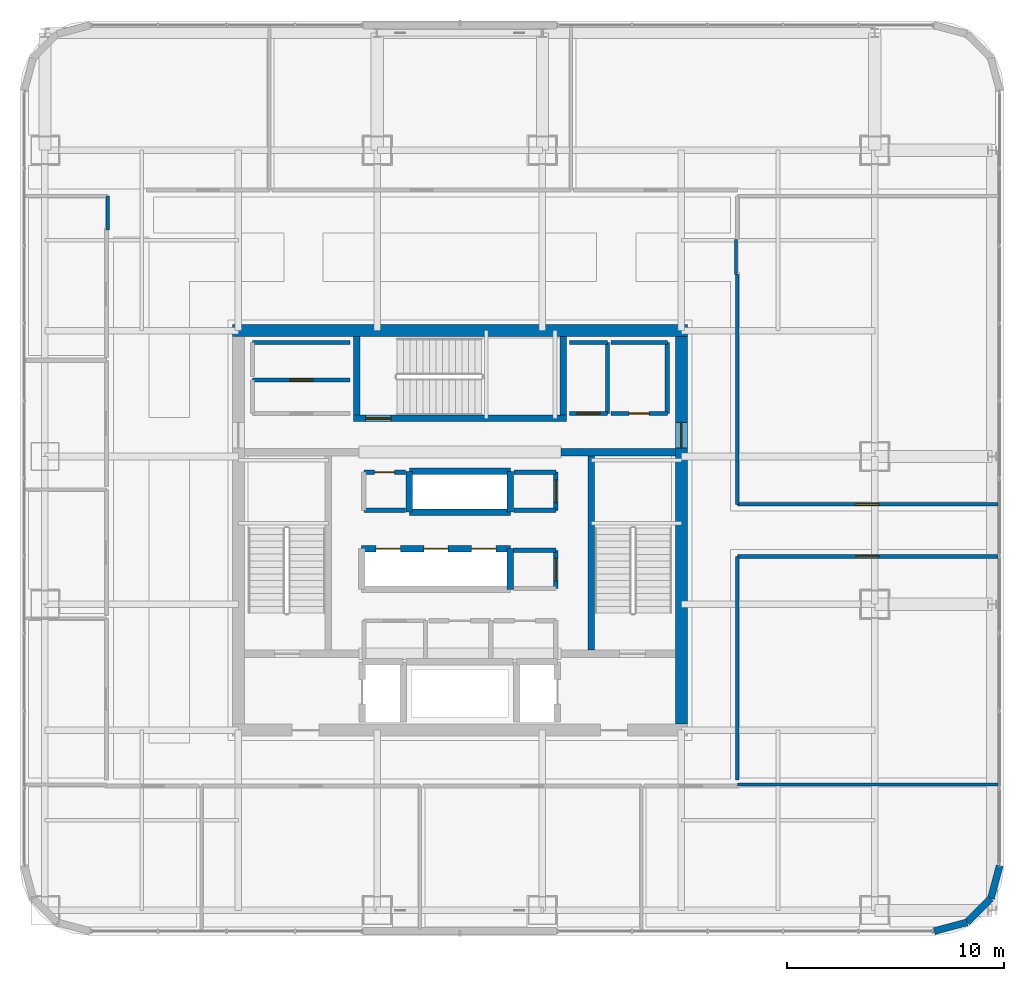
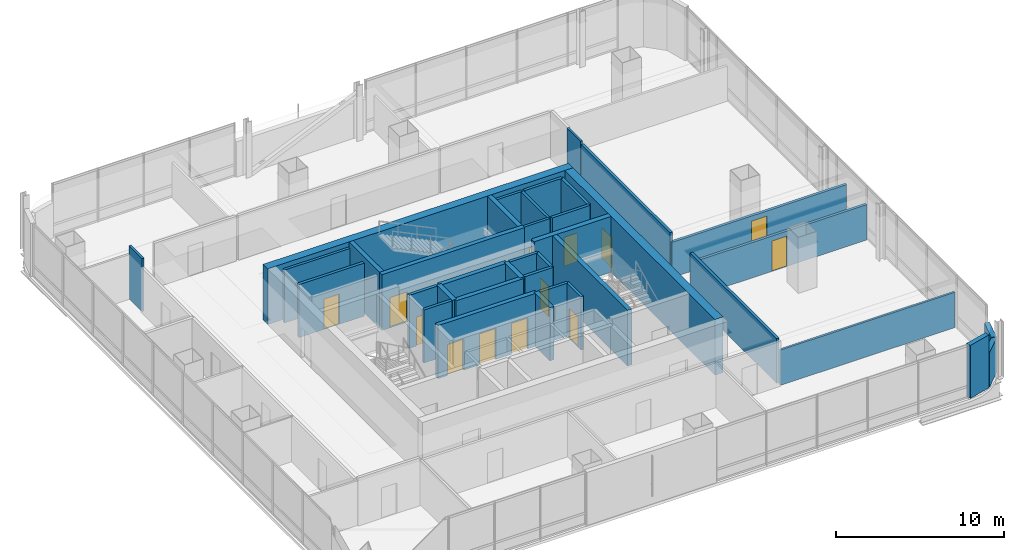
# One storey, part 33 of 44: 38 walls, 13 doors, 13 openings.
"""IFC4 building model written with IfcOpenShell, lengths in metres."""

import ifcopenshell
import ifcopenshell.guid

model = None  # the IFC model being written
_history = None  # IfcOwnerHistory: only IFC2X3 demands one
_inside = {}  # id of a spatial element -> (the spatial element, [elements in it])
_under = {}  # id of a project, library or spatial element -> (it, [spatial elements below it])
_declared = {}  # id of a project -> (the project, [libraries it declares])
_typed = {}  # id of a type object -> (the type object, [elements of that type])
_made_of = {}  # id of a material, layer set ... -> (it, [elements and type objects made of it])


def new_model(schema):
    """Start an empty IFC model of exactly this schema.

    Asked for "IFC4X3", IfcOpenShell would pick the latest addendum, in which some entities
    have other attributes; the version numbers below select the first issue.
    IFC2X3 requires an IfcOwnerHistory on every rooted entity: one is made here for all.
    """
    global model, _history
    if schema == "IFC4X3":
        model = ifcopenshell.file(schema_version=(4, 3, 0, 0))
    else:
        model = ifcopenshell.file(schema=schema)
    _inside.clear()
    _under.clear()
    _declared.clear()
    _typed.clear()
    _made_of.clear()
    _history = None
    if model.schema == "IFC2X3":
        org = make("IfcOrganization", Name="unknown")
        user = make(
            "IfcPersonAndOrganization",
            ThePerson=make("IfcPerson", FamilyName="unknown"),
            TheOrganization=org,
        )
        app = make(
            "IfcApplication",
            ApplicationDeveloper=org,
            Version="unknown",
            ApplicationFullName="unknown",
            ApplicationIdentifier="unknown",
        )
        _history = make(
            "IfcOwnerHistory",
            OwningUser=user,
            OwningApplication=app,
            ChangeAction="ADDED",
            CreationDate=0,
        )
    return model


def make(cls, **values):
    """One entity of the class cls with the attributes given. An attribute that is None is left unset."""
    return model.create_entity(
        cls, **{name: value for name, value in values.items() if value is not None}
    )


def rooted(cls, **values):
    """An entity with a GlobalId (a new one), such as an element, a storey or a relation."""
    return make(cls, GlobalId=ifcopenshell.guid.new(), OwnerHistory=_history, **values)


def si_unit(unit_type, name, prefix=None):
    """IfcSIUnit, for example si_unit("LENGTHUNIT", "METRE", prefix="MILLI")."""
    return make("IfcSIUnit", UnitType=unit_type, Prefix=prefix, Name=name)


def assignment(units):
    """IfcUnitAssignment: the units of a project."""
    return None if units is None else make("IfcUnitAssignment", Units=units)


def point(xyz):
    """IfcCartesianPoint."""
    return None if xyz is None else make("IfcCartesianPoint", Coordinates=xyz)


def direction(xyz):
    """IfcDirection."""
    return None if xyz is None else make("IfcDirection", DirectionRatios=xyz)


def frame(location, z_axis=None, x_axis=None):
    """IfcAxis2Placement3D, a coordinate frame: its origin and axes. An axis left out is left unset."""
    return make(
        "IfcAxis2Placement3D",
        Location=point(location),
        Axis=direction(z_axis),
        RefDirection=direction(x_axis),
    )


def frame_2d(location, x_axis=None):
    """IfcAxis2Placement2D, a coordinate frame in the plane: its origin and x axis."""
    return make(
        "IfcAxis2Placement2D", Location=point(location), RefDirection=direction(x_axis)
    )


def origin():
    """The frame at (0, 0, 0) with its axes left unset."""
    return frame((0.0, 0.0, 0.0))


def place(relative_to, where):
    """IfcLocalPlacement: puts the frame where relative to a parent placement (None: the world)."""
    return make(
        "IfcLocalPlacement", PlacementRelTo=relative_to, RelativePlacement=where
    )


def context(
    kind, dimensions, precision=None, world=None, true_north=None, identifier=None
):
    """IfcGeometricRepresentationContext, for example the 3D "Model" context."""
    return make(
        "IfcGeometricRepresentationContext",
        ContextIdentifier=identifier,
        ContextType=kind,
        CoordinateSpaceDimension=dimensions,
        Precision=precision,
        WorldCoordinateSystem=world,
        TrueNorth=true_north,
    )


def subcontext(parent, identifier, kind, view, scale=None):
    """IfcGeometricRepresentationSubContext, for example "Body" below "Model"."""
    return make(
        "IfcGeometricRepresentationSubContext",
        ContextIdentifier=identifier,
        ContextType=kind,
        ParentContext=parent,
        TargetScale=scale,
        TargetView=view,
    )


def project(units=None, contexts=None):
    """IfcProject with its units and contexts."""
    return rooted(
        "IfcProject",
        Name="project",
        RepresentationContexts=contexts,
        UnitsInContext=assignment(units),
    )


def spatial(cls, under=None, at=None, **own):
    """A site, building, storey or space (cls), placed at a placement, below another one or the project."""
    s = rooted(cls, ObjectPlacement=at, **own)
    if under is not None:
        _under.setdefault(under.id(), (under, []))[1].append(s)
    return s


def profile(cls, at=None, kind="AREA", **sizes):
    """A parametric profile (cls). Its sizes go by their IFC names, for example OverallWidth=200.0."""
    return make(cls, ProfileType=kind, Position=at, **sizes)


def rectangle(**sizes):
    """IfcRectangleProfileDef."""
    return profile("IfcRectangleProfileDef", **sizes)


def extrude(swept, where, along, depth):
    """IfcExtrudedAreaSolid: the profile swept, set in the frame where, extruded along a direction by depth."""
    return make(
        "IfcExtrudedAreaSolid",
        SweptArea=swept,
        Position=where,
        ExtrudedDirection=direction(along),
        Depth=depth,
    )


def shape(context_of_items, identifier, shape_type, items):
    """IfcShapeRepresentation: the items that make up one representation, for example the "Body"."""
    return make(
        "IfcShapeRepresentation",
        ContextOfItems=context_of_items,
        RepresentationIdentifier=identifier,
        RepresentationType=shape_type,
        Items=items,
    )


def material(Name=None, Category=None):
    """IfcMaterial."""
    return make("IfcMaterial", Name=Name, Category=Category)


def layer(
    of_material, thickness, ventilated=None, Name=None, Category=None, Priority=None
):
    """IfcMaterialLayer: one layer of a wall or slab, of a material (None: an air gap)."""
    return make(
        "IfcMaterialLayer",
        Material=of_material,
        LayerThickness=thickness,
        IsVentilated=ventilated,
        Name=Name,
        Category=Category,
        Priority=Priority,
    )


def layer_set(layers, Name=None):
    """IfcMaterialLayerSet."""
    return make("IfcMaterialLayerSet", MaterialLayers=layers, LayerSetName=Name)


def made_of(thing, what):
    """Note that an element or type object is made of a material, layer set ...; save() writes the relation."""
    if what is not None:
        _made_of.setdefault(what.id(), (what, []))[1].append(thing)
    return thing


def type_object(cls, material=None, **own):
    """A type object (cls), such as IfcWallType, which elements share."""
    return made_of(rooted(cls, **own), material)


def element(
    cls,
    number,
    at=None,
    inside=None,
    cuts=None,
    type_object=None,
    material=None,
    context=None,
    identifier="Body",
    shape_type=None,
    held_by="IfcProductDefinitionShape",
    body=None,
    shapes=None,
    **own,
):
    """One element of the class cls, such as IfcWall. Its Tag is "e" and its number.

    at: its placement. inside: the storey or other place that contains it. cuts: it is an
    opening in that element (IfcRelVoidsElement). A single representation is given by context,
    identifier, shape_type and body (its items); several are given by shapes. held_by: the class
    of the entity that holds the representations. save() writes the other relations.
    """
    e = rooted(cls, Tag="e%d" % number, ObjectPlacement=at, **own)
    if body is not None:
        shapes = [shape(context, identifier, shape_type, body)]
    if shapes is not None:
        e.Representation = make(held_by, Representations=shapes)
    if inside is not None:
        _inside.setdefault(inside.id(), (inside, []))[1].append(e)
    if cuts is not None:
        rooted(
            "IfcRelVoidsElement", RelatingBuildingElement=cuts, RelatedOpeningElement=e
        )
    if type_object is not None:
        _typed.setdefault(type_object.id(), (type_object, []))[1].append(e)
    return made_of(e, material)


def fill(opening, filler):
    """IfcRelFillsElement: the door or window that sits in an opening."""
    return rooted(
        "IfcRelFillsElement",
        RelatingOpeningElement=opening,
        RelatedBuildingElement=filler,
    )


def aggregate(whole, parts):
    """IfcRelAggregates: a whole, such as a stair, and the parts it consists of."""
    return rooted("IfcRelAggregates", RelatingObject=whole, RelatedObjects=parts)


def save(model, path):
    """Write the relations noted so far, then the file.

    IfcRelAggregates (storeys below a building ...), IfcRelContainedInSpatialStructure (elements
    in a storey), IfcRelDefinesByType, IfcRelAssociatesMaterial and IfcRelDeclares: one each for
    every whole, place, type object, material and project.
    """
    for whole, parts in _under.values():
        aggregate(whole, parts)
    for where, things in _inside.values():
        rooted(
            "IfcRelContainedInSpatialStructure",
            RelatedElements=things,
            RelatingStructure=where,
        )
    for kind, things in _typed.values():
        rooted("IfcRelDefinesByType", RelatedObjects=things, RelatingType=kind)
    for what, things in _made_of.values():
        rooted("IfcRelAssociatesMaterial", RelatedObjects=things, RelatingMaterial=what)
    for by, libraries in _declared.values():
        rooted("IfcRelDeclares", RelatingContext=by, RelatedDefinitions=libraries)
    model.write(path)


model = new_model("IFC4")

# Units and contexts
model_context = context("Model", 3, precision=1e-05, world=origin(), true_north=direction((0.0, 1.0)))
body_context = subcontext(model_context, "Body", "Model", "MODEL_VIEW")
ifc_project = project(units=[si_unit("LENGTHUNIT", "METRE"), si_unit("AREAUNIT", "SQUARE_METRE"), si_unit("VOLUMEUNIT", "CUBIC_METRE"), si_unit("PLANEANGLEUNIT", "RADIAN"), si_unit("MASSUNIT", "GRAM", prefix="KILO")], contexts=[model_context])

# Site, building, storey
site_placement = place(None, origin())
site = spatial("IfcSite", under=ifc_project, at=site_placement, CompositionType="ELEMENT")
building_placement = place(site_placement, origin())
building = spatial("IfcBuilding", under=site, at=building_placement, Name="Punatoya Terracotta Tower", CompositionType="ELEMENT")
storey_placement = place(building_placement, frame((0.0, 0.0, 267.60009765625)))
storey = spatial("IfcBuildingStorey", under=building, at=storey_placement, Name="L63", CompositionType="ELEMENT", Elevation=267.60009765625)

# Wall
ifc_material_1 = material(Name="Concrete C50/60", Category="concrete")
ifc_layer_1 = layer(ifc_material_1, 0.550048828125)
ifc_layer_set_1 = layer_set([ifc_layer_1], Name="Concrete C50/60")
wall_type_1 = type_object("IfcWallType", Name="WL-COR-550", PredefinedType="SHEAR", material=ifc_layer_set_1)
wall_1_placement = place(storey_placement, frame((-10.47509765625, 9.199951171875, 0.0), z_axis=(0.0, 0.0, 1.0), x_axis=(1.0, 0.0, 0.0)))
element("IfcWall", 1, at=wall_1_placement, inside=storey, type_object=wall_type_1, Name="L63 Core Shear Wall N", PredefinedType="SHEAR", context=body_context, shape_type="SweptSolid", body=[
    extrude(rectangle(XDim=20.9501953125, YDim=0.550048828125, at=frame_2d((10.47509765625, 0.0))), origin(), (0.0, 0.0, 1.0), 4.0498046875),
])

# Wall, opening, door
wall_2_placement = place(storey_placement, frame((10.199951171875, 8.925048828125, 0.0), z_axis=(0.0, 0.0, 1.0), x_axis=(0.0, -1.0, 0.0)))
wall_2 = element("IfcWall", 2, at=wall_2_placement, inside=storey, type_object=wall_type_1, Name="L63 Core Shear Wall E", PredefinedType="SHEAR", context=body_context, shape_type="SweptSolid", body=[
    extrude(rectangle(XDim=17.85009765625, YDim=0.550048828125, at=frame_2d((8.925048828125, 0.0))), origin(), (0.0, 0.0, 1.0), 4.0498046875),
])
opening_1_placement = place(wall_2_placement, frame((3.955078125, 0.0, 0.0)))
opening_1 = element("IfcOpeningElement", 3, at=opening_1_placement, cuts=wall_2, Name="Opening SD-01", PredefinedType="OPENING", context=body_context, shape_type="SweptSolid", body=[
    extrude(rectangle(XDim=1.179931640625, YDim=2.199951171875, at=frame_2d((0.58984375, 1.10009765625))), frame((0.0, 0.284912109375, 0.0), z_axis=(0.0, -1.0, 0.0), x_axis=(1.0, 0.0, 0.0)), (0.0, 0.0, 1.0), 0.570068359375),
])
ifc_material_2 = material(Name="Galvanised Steel Pressurized Stair Fire Door", Category="steel")
door_type_1 = type_object("IfcDoorType", Name="DR-STR-1180", OperationType="NOTDEFINED", PredefinedType="DOOR", material=ifc_material_2)
door_1_placement = place(opening_1_placement, origin())
door_1 = element("IfcDoor", 4, at=door_1_placement, inside=storey, type_object=door_type_1, Name="L63 Central Lift Lobby East Fire Door", OperationType="SINGLE_SWING_RIGHT", OverallHeight=2.199951171875, OverallWidth=1.179931640625, PredefinedType="DOOR", context=body_context, shape_type="SweptSolid", body=[
    extrude(rectangle(XDim=1.179931640625, YDim=2.199951171875, at=frame_2d((0.58984375, 1.10009765625))), frame((0.0, 0.02490234375, 0.0), z_axis=(0.0, -1.0, 0.0), x_axis=(1.0, 0.0, 0.0)), (0.0, 0.0, 1.0), 0.050048828125),
])
fill(opening_1, door_1)

# Walls
ifc_material_3 = material(Name="Gypsum Fireboard + Steel Stud", Category="steel")
ifc_layer_2 = layer(ifc_material_3, 0.179931640625)
ifc_layer_set_2 = layer_set([ifc_layer_2], Name="Gypsum Fireboard + Steel Stud")
wall_type_2 = type_object("IfcWallType", Name="WL-CORR-180", PredefinedType="PARTITIONING", material=ifc_layer_set_2)
wall_3_placement = place(storey_placement, frame((-5.050048828125, 8.64990234375, 0.0), z_axis=(0.0, 0.0, 1.0), x_axis=(-1.0, 0.0, 0.0)))
element("IfcWall", 5, at=wall_3_placement, inside=storey, type_object=wall_type_2, Name="L63 West Core Copy Room Partition 20", PredefinedType="PARTITIONING", context=body_context, shape_type="SweptSolid", body=[
    extrude(rectangle(XDim=4.5, YDim=0.179931640625, at=frame_2d((2.25, 0.0))), origin(), (0.0, 0.0, 1.0), 3.849853515625),
])
wall_4_placement = place(storey_placement, frame((6.800048828125, 5.3798828125, 0.0), z_axis=(0.0, 0.0, 1.0), x_axis=(0.0, 1.0, 0.0)))
element("IfcWall", 6, at=wall_4_placement, inside=storey, type_object=wall_type_2, Name="L63 East Core Focus Office Partition 22", PredefinedType="PARTITIONING", context=body_context, shape_type="SweptSolid", body=[
    extrude(rectangle(XDim=3.27001953125, YDim=0.179931640625, at=frame_2d((1.635009765625, 0.0))), origin(), (0.0, 0.0, 1.0), 3.849853515625),
])
wall_5_placement = place(storey_placement, frame((6.800048828125, 8.64990234375, 0.0), z_axis=(0.0, 0.0, 1.0), x_axis=(-1.0, 0.0, 0.0)))
element("IfcWall", 7, at=wall_5_placement, inside=storey, type_object=wall_type_2, Name="L63 East Core Focus Office Partition 23", PredefinedType="PARTITIONING", context=body_context, shape_type="SweptSolid", body=[
    extrude(rectangle(XDim=1.75, YDim=0.179931640625, at=frame_2d((0.875, 0.0))), origin(), (0.0, 0.0, 1.0), 3.849853515625),
])

# Wall, opening, door
wall_6_placement = place(storey_placement, frame((5.050048828125, 5.3798828125, 0.0), z_axis=(0.0, 0.0, 1.0), x_axis=(1.0, 0.0, 0.0)))
wall_6 = element("IfcWall", 8, at=wall_6_placement, inside=storey, type_object=wall_type_2, Name="L63 East Core Focus Office Partition 24", PredefinedType="PARTITIONING", context=body_context, shape_type="SweptSolid", body=[
    extrude(rectangle(XDim=1.75, YDim=0.179931640625, at=frame_2d((0.875, 0.0))), origin(), (0.0, 0.0, 1.0), 3.849853515625),
])
opening_2_placement = place(wall_6_placement, frame((0.35009765625, 0.0, 0.0)))
opening_2 = element("IfcOpeningElement", 9, at=opening_2_placement, cuts=wall_6, Name="Opening OD-01", PredefinedType="OPENING", context=body_context, shape_type="SweptSolid", body=[
    extrude(rectangle(XDim=1.050048828125, YDim=2.199951171875, at=frame_2d((0.52490234375, 1.10009765625))), frame((0.0, 0.099853515625, 0.0), z_axis=(0.0, -1.0, 0.0), x_axis=(1.0, 0.0, 0.0)), (0.0, 0.0, 1.0), 0.199951171875),
])
ifc_material_4 = material(Name="Bengal Teak Solid-Core Leaf")
door_type_2 = type_object("IfcDoorType", Name="DR-OFF-1050", OperationType="NOTDEFINED", PredefinedType="DOOR", material=ifc_material_4)
door_2_placement = place(opening_2_placement, origin())
door_2 = element("IfcDoor", 10, at=door_2_placement, inside=storey, type_object=door_type_2, Name="L63 East Focus Office Door", OperationType="SINGLE_SWING_LEFT", OverallHeight=2.199951171875, OverallWidth=1.050048828125, PredefinedType="DOOR", context=body_context, shape_type="SweptSolid", body=[
    extrude(rectangle(XDim=1.050048828125, YDim=2.199951171875, at=frame_2d((0.52490234375, 1.10009765625))), frame((0.0, 0.02490234375, 0.0), z_axis=(0.0, -1.0, 0.0), x_axis=(1.0, 0.0, 0.0)), (0.0, 0.0, 1.0), 0.050048828125),
])
fill(opening_2, door_2)

wall_7_placement = place(storey_placement, frame((12.77001953125, -1.199951171875, 0.0), z_axis=(0.0, 0.0, 1.0), x_axis=(1.0, 0.0, 0.0)))
wall_7 = element("IfcWall", 11, at=wall_7_placement, inside=storey, type_object=wall_type_2, Name="L63 Open-Plan Laboratory Staff Pantry Partition 39", PredefinedType="PARTITIONING", context=body_context, shape_type="SweptSolid", body=[
    extrude(rectangle(XDim=12.0, YDim=0.179931640625, at=frame_2d((6.0, 0.0))), origin(), (0.0, 0.0, 1.0), 2.56396484375),
])
opening_3_placement = place(wall_7_placement, frame((5.47509765625, 0.0, 0.0)))
opening_3 = element("IfcOpeningElement", 12, at=opening_3_placement, cuts=wall_7, Name="Opening OD-01", PredefinedType="OPENING", context=body_context, shape_type="SweptSolid", body=[
    extrude(rectangle(XDim=1.050048828125, YDim=2.199951171875, at=frame_2d((0.52490234375, 1.10009765625))), frame((0.0, 0.099853515625, 0.0), z_axis=(0.0, -1.0, 0.0), x_axis=(1.0, 0.0, 0.0)), (0.0, 0.0, 1.0), 0.199951171875),
])
door_3_placement = place(opening_3_placement, origin())
door_3 = element("IfcDoor", 13, at=door_3_placement, inside=storey, type_object=door_type_2, Name="L63 Open-Plan Laboratory Staff Pantry Door", OperationType="SINGLE_SWING_RIGHT", OverallHeight=2.199951171875, OverallWidth=1.050048828125, PredefinedType="DOOR", context=body_context, shape_type="SweptSolid", body=[
    extrude(rectangle(XDim=1.050048828125, YDim=2.199951171875, at=frame_2d((0.52490234375, 1.10009765625))), frame((0.0, 0.02490234375, 0.0), z_axis=(0.0, -1.0, 0.0), x_axis=(1.0, 0.0, 0.0)), (0.0, 0.0, 1.0), 0.050048828125),
])
fill(opening_3, door_3)

# Wall
wall_8_placement = place(storey_placement, frame((12.77001953125, -11.489990234375, 0.0), z_axis=(0.0, 0.0, 1.0), x_axis=(0.0, 1.0, 0.0)))
element("IfcWall", 14, at=wall_8_placement, inside=storey, type_object=wall_type_2, Name="L63 Open-Plan Laboratory Staff Pantry Partition 40", PredefinedType="PARTITIONING", context=body_context, shape_type="SweptSolid", body=[
    extrude(rectangle(XDim=10.2900390625, YDim=0.179931640625, at=frame_2d((5.14501953125, 0.0))), origin(), (0.0, 0.0, 1.0), 3.243896484375),
])

# Wall, opening, door
wall_9_placement = place(storey_placement, frame((24.77001953125, 1.199951171875, 0.0), z_axis=(0.0, 0.0, 1.0), x_axis=(-1.0, 0.0, 0.0)))
wall_9 = element("IfcWall", 15, at=wall_9_placement, inside=storey, type_object=wall_type_2, Name="L63 Hydrology Modelling Laboratory Partition 45", PredefinedType="PARTITIONING", context=body_context, shape_type="SweptSolid", body=[
    extrude(rectangle(XDim=12.0, YDim=0.179931640625, at=frame_2d((6.0, 0.0))), origin(), (0.0, 0.0, 1.0), 2.56396484375),
])
opening_4_placement = place(wall_9_placement, frame((5.47509765625, 0.0, 0.0)))
opening_4 = element("IfcOpeningElement", 16, at=opening_4_placement, cuts=wall_9, Name="Opening OD-01", PredefinedType="OPENING", context=body_context, shape_type="SweptSolid", body=[
    extrude(rectangle(XDim=1.050048828125, YDim=2.199951171875, at=frame_2d((0.52490234375, 1.10009765625))), frame((0.0, 0.099853515625, 0.0), z_axis=(0.0, -1.0, 0.0), x_axis=(1.0, 0.0, 0.0)), (0.0, 0.0, 1.0), 0.199951171875),
])
door_4_placement = place(opening_4_placement, origin())
door_4 = element("IfcDoor", 17, at=door_4_placement, inside=storey, type_object=door_type_2, Name="L63 Hydrology Modelling Laboratory Door", OperationType="SINGLE_SWING_LEFT", OverallHeight=2.199951171875, OverallWidth=1.050048828125, PredefinedType="DOOR", context=body_context, shape_type="SweptSolid", body=[
    extrude(rectangle(XDim=1.050048828125, YDim=2.199951171875, at=frame_2d((0.52490234375, 1.10009765625))), frame((0.0, 0.02490234375, 0.0), z_axis=(0.0, -1.0, 0.0), x_axis=(1.0, 0.0, 0.0)), (0.0, 0.0, 1.0), 0.050048828125),
])
fill(opening_4, door_4)

# Walls
wall_10_placement = place(storey_placement, frame((12.77001953125, 1.199951171875, 0.0), z_axis=(0.0, 0.0, 1.0), x_axis=(0.0, 1.0, 0.0)))
element("IfcWall", 18, at=wall_10_placement, inside=storey, type_object=wall_type_2, Name="L63 Hydrology Modelling Laboratory Partition 46", PredefinedType="PARTITIONING", context=body_context, shape_type="SweptSolid", body=[
    extrude(rectangle(XDim=10.570068359375, YDim=0.179931640625, at=frame_2d((5.28515625, 0.0))), origin(), (0.0, 0.0, 1.0), 3.243896484375),
])
ifc_material_5 = material(Name="Precast concrete C40/50", Category="concrete")
ifc_layer_3 = layer(ifc_material_5, 0.320068359375)
ifc_layer_set_3 = layer_set([ifc_layer_3], Name="Precast concrete C40/50")
wall_type_3 = type_object("IfcWallType", Name="WL-EXT-320", PredefinedType="SOLIDWALL", material=ifc_layer_set_3)
wall_11_placement = place(storey_placement, frame((21.8369140625, -18.449951171875, 0.0), z_axis=(0.0, 0.0, 1.0), x_axis=(0.966224582397, 0.257701486942, 0.0)))
element("IfcWall", 19, at=wall_11_placement, inside=storey, type_object=wall_type_3, Name="L63 Rounded Terracotta Corner Pier 02", PredefinedType="SOLIDWALL", context=body_context, shape_type="SweptSolid", body=[
    extrude(rectangle(XDim=1.565185546875, YDim=0.320068359375, at=frame_2d((0.78271484375, 0.0))), origin(), (0.0, 0.0, 1.0), 3.849853515625),
])
wall_12_placement = place(storey_placement, frame((23.34912109375, -18.046630859375, 0.0), z_axis=(0.0, 0.0, 1.0), x_axis=(0.707106781187, 0.707106781187, 0.0)))
element("IfcWall", 20, at=wall_12_placement, inside=storey, type_object=wall_type_3, Name="L63 Rounded Terracotta Corner Pier 03", PredefinedType="SOLIDWALL", context=body_context, shape_type="SweptSolid", body=[
    extrude(rectangle(XDim=1.552001953125, YDim=0.320068359375, at=frame_2d((0.77587890625, 0.0))), origin(), (0.0, 0.0, 1.0), 2.52392578125),
])
wall_13_placement = place(storey_placement, frame((24.446533203125, -16.94921875, 0.0), z_axis=(0.0, 0.0, 1.0), x_axis=(0.257847112249, 0.966185730957, 0.0)))
element("IfcWall", 21, at=wall_13_placement, inside=storey, type_object=wall_type_3, Name="L63 Rounded Terracotta Corner Pier 04", PredefinedType="SOLIDWALL", context=body_context, shape_type="SweptSolid", body=[
    extrude(rectangle(XDim=1.565185546875, YDim=0.320068359375, at=frame_2d((0.78271484375, 0.0))), origin(), (0.0, 0.0, 1.0), 2.56396484375),
])

# Wall, opening, door
ifc_material_6 = material(Name="Concrete C40/50", Category="concrete")
ifc_layer_4 = layer(ifc_material_6, 0.199951171875)
ifc_layer_set_4 = layer_set([ifc_layer_4], Name="Concrete C40/50")
wall_type_4 = type_object("IfcWallType", Name="WL-INT-200", PredefinedType="SOLIDWALL", material=ifc_layer_set_4)
wall_14_placement = place(storey_placement, frame((4.419921875, -2.679931640625, 0.0), z_axis=(0.0, 0.0, 1.0), x_axis=(0.0, 1.0, 0.0)))
wall_14 = element("IfcWall", 22, at=wall_14_placement, inside=storey, type_object=wall_type_4, Name="L63 East Core Tea Pantry Partition 08", PredefinedType="SOLIDWALL", context=body_context, shape_type="SweptSolid", body=[
    extrude(rectangle(XDim=1.760009765625, YDim=0.199951171875, at=frame_2d((0.8798828125, 0.0))), origin(), (0.0, 0.0, 1.0), 3.849853515625),
])
opening_5_placement = place(wall_14_placement, frame((0.35498046875, 0.0, 0.0)))
opening_5 = element("IfcOpeningElement", 23, at=opening_5_placement, cuts=wall_14, Name="Opening OD-01", PredefinedType="OPENING", context=body_context, shape_type="SweptSolid", body=[
    extrude(rectangle(XDim=1.050048828125, YDim=2.199951171875, at=frame_2d((0.52490234375, 1.10009765625))), frame((0.0, 0.10986328125, 0.0), z_axis=(0.0, -1.0, 0.0), x_axis=(1.0, 0.0, 0.0)), (0.0, 0.0, 1.0), 0.219970703125),
])
door_5_placement = place(opening_5_placement, origin())
door_5 = element("IfcDoor", 24, at=door_5_placement, inside=storey, type_object=door_type_2, Name="L63 East Tea Pantry Door", OperationType="SINGLE_SWING_RIGHT", OverallHeight=2.199951171875, OverallWidth=1.050048828125, PredefinedType="DOOR", context=body_context, shape_type="SweptSolid", body=[
    extrude(rectangle(XDim=1.050048828125, YDim=2.199951171875, at=frame_2d((0.52490234375, 1.10009765625))), frame((0.0, 0.02490234375, 0.0), z_axis=(0.0, -1.0, 0.0), x_axis=(1.0, 0.0, 0.0)), (0.0, 0.0, 1.0), 0.050048828125),
])
fill(opening_5, door_5)

# Wall
wall_15_placement = place(storey_placement, frame((4.419921875, -0.919921875, 0.0), z_axis=(0.0, 0.0, 1.0), x_axis=(-1.0, 0.0, 0.0)))
element("IfcWall", 25, at=wall_15_placement, inside=storey, type_object=wall_type_4, Name="L63 East Core Tea Pantry Partition 09", PredefinedType="SOLIDWALL", context=body_context, shape_type="SweptSolid", body=[
    extrude(rectangle(XDim=1.93994140625, YDim=0.199951171875, at=frame_2d((0.969970703125, 0.0))), origin(), (0.0, 0.0, 1.0), 3.849853515625),
])

# Wall, opening, door
wall_16_placement = place(storey_placement, frame((-2.5, 2.679931640625, 0.0), z_axis=(0.0, 0.0, 1.0), x_axis=(-1.0, 0.0, 0.0)))
wall_16 = element("IfcWall", 26, at=wall_16_placement, inside=storey, type_object=wall_type_4, Name="L63 Core Security Equipment Closet Partition 11", PredefinedType="SOLIDWALL", context=body_context, shape_type="SweptSolid", body=[
    extrude(rectangle(XDim=1.919921875, YDim=0.199951171875, at=frame_2d((0.9599609375, 0.0))), origin(), (0.0, 0.0, 1.0), 3.849853515625),
])
opening_6_placement = place(wall_16_placement, frame((0.5, 0.0, 0.0)))
opening_6 = element("IfcOpeningElement", 27, at=opening_6_placement, cuts=wall_16, Name="Opening FD-R1", PredefinedType="OPENING", context=body_context, shape_type="SweptSolid", body=[
    extrude(rectangle(XDim=0.919921875, YDim=2.10009765625, at=frame_2d((0.4599609375, 1.050048828125))), frame((0.0, 0.10986328125, 0.0), z_axis=(0.0, -1.0, 0.0), x_axis=(1.0, 0.0, 0.0)), (0.0, 0.0, 1.0), 0.219970703125),
])
ifc_material_7 = material(Name="Galvanised Steel Riser Fire Access Door", Category="steel")
door_type_3 = type_object("IfcDoorType", Name="DR-RSR-920", OperationType="NOTDEFINED", PredefinedType="DOOR", material=ifc_material_7)
door_6_placement = place(opening_6_placement, origin())
door_6 = element("IfcDoor", 28, at=door_6_placement, inside=storey, type_object=door_type_3, Name="L63 Core Security Equipment Closet Fire Door", OperationType="SINGLE_SWING_LEFT", OverallHeight=2.10009765625, OverallWidth=0.919921875, PredefinedType="DOOR", context=body_context, shape_type="SweptSolid", body=[
    extrude(rectangle(XDim=0.919921875, YDim=2.10009765625, at=frame_2d((0.4599609375, 1.050048828125))), frame((0.0, 0.02490234375, 0.0), z_axis=(0.0, -1.0, 0.0), x_axis=(1.0, 0.0, 0.0)), (0.0, 0.0, 1.0), 0.050048828125),
])
fill(opening_6, door_6)

# Wall
wall_17_placement = place(storey_placement, frame((-4.419921875, 0.919921875, 0.0), z_axis=(0.0, 0.0, 1.0), x_axis=(1.0, 0.0, 0.0)))
element("IfcWall", 29, at=wall_17_placement, inside=storey, type_object=wall_type_4, Name="L63 Core Security Equipment Closet Partition 13", PredefinedType="SOLIDWALL", context=body_context, shape_type="SweptSolid", body=[
    extrude(rectangle(XDim=1.919921875, YDim=0.199951171875, at=frame_2d((0.9599609375, 0.0))), origin(), (0.0, 0.0, 1.0), 3.849853515625),
])

# Wall, opening, door
wall_18_placement = place(storey_placement, frame((4.419921875, 0.919921875, 0.0), z_axis=(0.0, 0.0, 1.0), x_axis=(0.0, 1.0, 0.0)))
wall_18 = element("IfcWall", 30, at=wall_18_placement, inside=storey, type_object=wall_type_4, Name="L63 Executive Steward Pantry Partition 14", PredefinedType="SOLIDWALL", context=body_context, shape_type="SweptSolid", body=[
    extrude(rectangle(XDim=1.760009765625, YDim=0.199951171875, at=frame_2d((0.8798828125, 0.0))), origin(), (0.0, 0.0, 1.0), 3.849853515625),
])
opening_7_placement = place(wall_18_placement, frame((0.35498046875, 0.0, 0.0)))
opening_7 = element("IfcOpeningElement", 31, at=opening_7_placement, cuts=wall_18, Name="Opening OD-01", PredefinedType="OPENING", context=body_context, shape_type="SweptSolid", body=[
    extrude(rectangle(XDim=1.050048828125, YDim=2.199951171875, at=frame_2d((0.52490234375, 1.10009765625))), frame((0.0, 0.10986328125, 0.0), z_axis=(0.0, -1.0, 0.0), x_axis=(1.0, 0.0, 0.0)), (0.0, 0.0, 1.0), 0.219970703125),
])
door_7_placement = place(opening_7_placement, origin())
door_7 = element("IfcDoor", 32, at=door_7_placement, inside=storey, type_object=door_type_2, Name="L63 Executive Steward Pantry Door", OperationType="SINGLE_SWING_RIGHT", OverallHeight=2.199951171875, OverallWidth=1.050048828125, PredefinedType="DOOR", context=body_context, shape_type="SweptSolid", body=[
    extrude(rectangle(XDim=1.050048828125, YDim=2.199951171875, at=frame_2d((0.52490234375, 1.10009765625))), frame((0.0, 0.02490234375, 0.0), z_axis=(0.0, -1.0, 0.0), x_axis=(1.0, 0.0, 0.0)), (0.0, 0.0, 1.0), 0.050048828125),
])
fill(opening_7, door_7)

# Walls
for number, where, z_axis, x_axis, name in (
    (33, (4.419921875, 2.679931640625, 0.0), (0.0, 0.0, 1.0), (-1.0, 0.0, 0.0), "L63 Executive Steward Pantry Partition 15"),
    (34, (2.5, 0.919921875, 0.0), (0.0, 0.0, 1.0), (1.0, 0.0, 0.0), "L63 Executive Steward Pantry Partition 16"),
):
    element("IfcWall", number, at=place(storey_placement, frame(where, z_axis=z_axis, x_axis=x_axis)), inside=storey, type_object=wall_type_4, Name=name, PredefinedType="SOLIDWALL", context=body_context, shape_type="SweptSolid", body=[
        extrude(rectangle(XDim=1.919921875, YDim=0.199951171875, at=frame_2d((0.9599609375, 0.0))), origin(), (0.0, 0.0, 1.0), 3.849853515625),
    ])

# Wall, opening, door
wall_19_placement = place(storey_placement, frame((-5.050048828125, 6.919921875, 0.0), z_axis=(0.0, 0.0, 1.0), x_axis=(-1.0, 0.0, 0.0)))
wall_19 = element("IfcWall", 35, at=wall_19_placement, inside=storey, type_object=wall_type_4, Name="L63 West Core Tea Pantry Partition 17", PredefinedType="SOLIDWALL", context=body_context, shape_type="SweptSolid", body=[
    extrude(rectangle(XDim=4.5, YDim=0.199951171875, at=frame_2d((2.25, 0.0))), origin(), (0.0, 0.0, 1.0), 3.849853515625),
])
opening_8_placement = place(wall_19_placement, frame((1.72509765625, 0.0, 0.0)))
opening_8 = element("IfcOpeningElement", 36, at=opening_8_placement, cuts=wall_19, Name="Opening OD-01", PredefinedType="OPENING", context=body_context, shape_type="SweptSolid", body=[
    extrude(rectangle(XDim=1.050048828125, YDim=2.199951171875, at=frame_2d((0.52490234375, 1.10009765625))), frame((0.0, 0.10986328125, 0.0), z_axis=(0.0, -1.0, 0.0), x_axis=(1.0, 0.0, 0.0)), (0.0, 0.0, 1.0), 0.219970703125),
])
door_8_placement = place(opening_8_placement, origin())
door_8 = element("IfcDoor", 37, at=door_8_placement, inside=storey, type_object=door_type_2, Name="L63 West Copy Room Door", OperationType="SINGLE_SWING_RIGHT", OverallHeight=2.199951171875, OverallWidth=1.050048828125, PredefinedType="DOOR", context=body_context, shape_type="SweptSolid", body=[
    extrude(rectangle(XDim=1.050048828125, YDim=2.199951171875, at=frame_2d((0.52490234375, 1.10009765625))), frame((0.0, 0.02490234375, 0.0), z_axis=(0.0, -1.0, 0.0), x_axis=(1.0, 0.0, 0.0)), (0.0, 0.0, 1.0), 0.050048828125),
])
fill(opening_8, door_8)

# Walls
wall_20_placement = place(storey_placement, frame((9.550048828125, 5.3798828125, 0.0), z_axis=(0.0, 0.0, 1.0), x_axis=(0.0, 1.0, 0.0)))
element("IfcWall", 38, at=wall_20_placement, inside=storey, type_object=wall_type_4, Name="L63 East Core Archive Partition 25", PredefinedType="SOLIDWALL", context=body_context, shape_type="SweptSolid", body=[
    extrude(rectangle(XDim=3.27001953125, YDim=0.199951171875, at=frame_2d((1.635009765625, 0.0))), origin(), (0.0, 0.0, 1.0), 3.849853515625),
])
wall_21_placement = place(storey_placement, frame((9.550048828125, 8.64990234375, 0.0), z_axis=(0.0, 0.0, 1.0), x_axis=(-1.0, 0.0, 0.0)))
element("IfcWall", 39, at=wall_21_placement, inside=storey, type_object=wall_type_4, Name="L63 East Core Archive Partition 26", PredefinedType="SOLIDWALL", context=body_context, shape_type="SweptSolid", body=[
    extrude(rectangle(XDim=2.590087890625, YDim=0.199951171875, at=frame_2d((1.294921875, 0.0))), origin(), (0.0, 0.0, 1.0), 3.849853515625),
])

# Wall, opening, door
wall_22_placement = place(storey_placement, frame((6.9599609375, 5.3798828125, 0.0), z_axis=(0.0, 0.0, 1.0), x_axis=(1.0, 0.0, 0.0)))
wall_22 = element("IfcWall", 40, at=wall_22_placement, inside=storey, type_object=wall_type_4, Name="L63 East Core Archive Partition 27", PredefinedType="SOLIDWALL", context=body_context, shape_type="SweptSolid", body=[
    extrude(rectangle(XDim=2.590087890625, YDim=0.199951171875, at=frame_2d((1.294921875, 0.0))), origin(), (0.0, 0.0, 1.0), 3.849853515625),
])
opening_9_placement = place(wall_22_placement, frame((0.8349609375, 0.0, 0.0)))
opening_9 = element("IfcOpeningElement", 41, at=opening_9_placement, cuts=wall_22, Name="Opening FD-R1", PredefinedType="OPENING", context=body_context, shape_type="SweptSolid", body=[
    extrude(rectangle(XDim=0.919921875, YDim=2.10009765625, at=frame_2d((0.4599609375, 1.050048828125))), frame((0.0, 0.10986328125, 0.0), z_axis=(0.0, -1.0, 0.0), x_axis=(1.0, 0.0, 0.0)), (0.0, 0.0, 1.0), 0.219970703125),
])
door_9_placement = place(opening_9_placement, origin())
door_9 = element("IfcDoor", 42, at=door_9_placement, inside=storey, type_object=door_type_3, Name="L63 East Core Archive Fire Door", OperationType="SINGLE_SWING_RIGHT", OverallHeight=2.10009765625, OverallWidth=0.919921875, PredefinedType="DOOR", context=body_context, shape_type="SweptSolid", body=[
    extrude(rectangle(XDim=0.919921875, YDim=2.10009765625, at=frame_2d((0.4599609375, 1.050048828125))), frame((0.0, 0.02490234375, 0.0), z_axis=(0.0, -1.0, 0.0), x_axis=(1.0, 0.0, 0.0)), (0.0, 0.0, 1.0), 0.050048828125),
])
fill(opening_9, door_9)

# Walls
ifc_material_8 = material(Name="Acoustic Gypsum + Steel Stud", Category="steel")
ifc_layer_5 = layer(ifc_material_8, 0.139892578125)
ifc_layer_set_5 = layer_set([ifc_layer_5], Name="Acoustic Gypsum + Steel Stud")
wall_type_5 = type_object("IfcWallType", Name="WL-OFF-140", PredefinedType="PARTITIONING", material=ifc_layer_set_5)
wall_23_placement = place(storey_placement, frame((12.77001953125, -11.7099609375, 0.0), z_axis=(0.0, 0.0, 1.0), x_axis=(1.0, 0.0, 0.0)))
element("IfcWall", 43, at=wall_23_placement, inside=storey, type_object=wall_type_5, Name="L63 Open-Plan Environmental Research Laboratory Partition 35", PredefinedType="PARTITIONING", context=body_context, shape_type="SweptSolid", body=[
    extrude(rectangle(XDim=12.0, YDim=0.139892578125, at=frame_2d((6.0, 0.0))), origin(), (0.0, 0.0, 1.0), 2.56396484375),
])
wall_24_placement = place(storey_placement, frame((12.7099609375, 11.77001953125, 0.0), z_axis=(0.0, 0.0, 1.0), x_axis=(0.0, 1.0, 0.0)))
element("IfcWall", 44, at=wall_24_placement, inside=storey, type_object=wall_type_5, Name="L63 Hydrology Modelling Laboratory Partition 47", PredefinedType="PARTITIONING", context=body_context, shape_type="SweptSolid", body=[
    extrude(rectangle(XDim=1.60986328125, YDim=0.139892578125, at=frame_2d((0.804931640625, 0.0))), origin(), (0.0, 0.0, 1.0), 3.48388671875),
])
wall_25_placement = place(storey_placement, frame((-16.2099609375, 15.389892578125, 0.0), z_axis=(0.0, 0.0, 1.0), x_axis=(0.0, -1.0, 0.0)))
element("IfcWall", 45, at=wall_25_placement, inside=storey, type_object=wall_type_5, Name="L63 Urban Analytics Laboratory Partition 51", PredefinedType="PARTITIONING", context=body_context, shape_type="SweptSolid", body=[
    extrude(rectangle(XDim=1.56982421875, YDim=0.139892578125, at=frame_2d((0.784912109375, 0.0))), origin(), (0.0, 0.0, 1.0), 3.849853515625),
])
ifc_layer_6 = layer(ifc_material_6, 0.300048828125)
ifc_layer_set_6 = layer_set([ifc_layer_6], Name="Concrete C40/50")
wall_type_6 = type_object("IfcWallType", Name="WL-SHF-300", PredefinedType="SOLIDWALL", material=ifc_layer_set_6)
wall_26_placement = place(storey_placement, frame((6.050048828125, 3.449951171875, 0.0), z_axis=(0.0, 0.0, 1.0), x_axis=(0.0, -1.0, 0.0)))
element("IfcWall", 46, at=wall_26_placement, inside=storey, type_object=wall_type_6, Name="L63 Structural Stair Shaft Wall SW-ST2-W", PredefinedType="SOLIDWALL", context=body_context, shape_type="SweptSolid", body=[
    extrude(rectangle(XDim=8.949951171875, YDim=0.300048828125, at=frame_2d((4.47509765625, 0.0))), origin(), (0.0, 0.0, 1.0), 4.0498046875),
])
for number, where, z_axis, x_axis, name in (
    (47, (-4.75, 5.300048828125, 0.0), (0.0, 0.0, 1.0), (0.0, 1.0, 0.0), "L63 Structural Stair Shaft Wall SW-ST3-W"),
    (48, (4.75, 8.925048828125, 0.0), (0.0, 0.0, 1.0), (0.0, -1.0, 0.0), "L63 Structural Stair Shaft Wall SW-ST3-E"),
):
    element("IfcWall", number, at=place(storey_placement, frame(where, z_axis=z_axis, x_axis=x_axis)), inside=storey, type_object=wall_type_6, Name=name, PredefinedType="SOLIDWALL", context=body_context, shape_type="SweptSolid", body=[
        extrude(rectangle(XDim=3.625, YDim=0.300048828125, at=frame_2d((1.8125, 0.0))), origin(), (0.0, 0.0, 1.0), 4.0498046875),
    ])

# Wall, opening, door
wall_27_placement = place(storey_placement, frame((-4.89990234375, 5.14990234375, 0.0), z_axis=(0.0, 0.0, 1.0), x_axis=(1.0, 0.0, 0.0)))
wall_27 = element("IfcWall", 49, at=wall_27_placement, inside=storey, type_object=wall_type_6, Name="L63 Structural Stair Shaft Wall SW-ST3-S", PredefinedType="SOLIDWALL", context=body_context, shape_type="SweptSolid", body=[
    extrude(rectangle(XDim=9.7998046875, YDim=0.300048828125, at=frame_2d((4.89990234375, 0.0))), origin(), (0.0, 0.0, 1.0), 4.0498046875),
])
opening_10_placement = place(wall_27_placement, frame((0.56005859375, 0.0, 0.0)))
opening_10 = element("IfcOpeningElement", 50, at=opening_10_placement, cuts=wall_27, Name="Opening SD-01", PredefinedType="OPENING", context=body_context, shape_type="SweptSolid", body=[
    extrude(rectangle(XDim=1.179931640625, YDim=2.199951171875, at=frame_2d((0.58984375, 1.10009765625))), frame((0.0, 0.159912109375, 0.0), z_axis=(0.0, -1.0, 0.0), x_axis=(1.0, 0.0, 0.0)), (0.0, 0.0, 1.0), 0.320068359375),
])
door_10_placement = place(opening_10_placement, origin())
door_10 = element("IfcDoor", 51, at=door_10_placement, inside=storey, type_object=door_type_1, Name="L63 Stair ST-3 Core Lobby Fire Door", OperationType="SINGLE_SWING_LEFT", OverallHeight=2.199951171875, OverallWidth=1.179931640625, PredefinedType="DOOR", context=body_context, shape_type="SweptSolid", body=[
    extrude(rectangle(XDim=1.179931640625, YDim=2.199951171875, at=frame_2d((0.58984375, 1.10009765625))), frame((0.0, 0.02490234375, 0.0), z_axis=(0.0, -1.0, 0.0), x_axis=(1.0, 0.0, 0.0)), (0.0, 0.0, 1.0), 0.050048828125),
])
fill(opening_10, door_10)

# Wall, openings, doors
wall_28_placement = place(storey_placement, frame((-4.52001953125, -0.840087890625, 0.0), z_axis=(0.0, 0.0, 1.0), x_axis=(1.0, 0.0, 0.0)))
wall_28 = element("IfcWall", 52, at=wall_28_placement, inside=storey, type_object=wall_type_6, Name="L63 South Lift Bank Front Shaft Wall", PredefinedType="SOLIDWALL", context=body_context, shape_type="SweptSolid", body=[
    extrude(rectangle(XDim=6.840087890625, YDim=0.300048828125, at=frame_2d((3.419921875, 0.0))), origin(), (0.0, 0.0, 1.0), 3.849853515625),
])
opening_11_placement = place(wall_28_placement, frame((0.659912109375, 0.0, 0.0)))
opening_11 = element("IfcOpeningElement", 53, at=opening_11_placement, cuts=wall_28, Name="Opening LD-02", PredefinedType="OPENING", context=body_context, shape_type="SweptSolid", body=[
    extrude(rectangle(XDim=1.1201171875, YDim=2.25, at=frame_2d((0.56005859375, 1.125))), frame((0.0, 0.159912109375, 0.0), z_axis=(0.0, -1.0, 0.0), x_axis=(1.0, 0.0, 0.0)), (0.0, 0.0, 1.0), 0.320068359375),
])
opening_12_placement = place(wall_28_placement, frame((2.860107421875, 0.0, 0.0)))
opening_12 = element("IfcOpeningElement", 54, at=opening_12_placement, cuts=wall_28, Name="Opening LD-02", PredefinedType="OPENING", context=body_context, shape_type="SweptSolid", body=[
    extrude(rectangle(XDim=1.1201171875, YDim=2.25, at=frame_2d((0.56005859375, 1.125))), frame((0.0, 0.159912109375, 0.0), z_axis=(0.0, -1.0, 0.0), x_axis=(1.0, 0.0, 0.0)), (0.0, 0.0, 1.0), 0.320068359375),
])
opening_13_placement = place(wall_28_placement, frame((5.06005859375, 0.0, 0.0)))
opening_13 = element("IfcOpeningElement", 55, at=opening_13_placement, cuts=wall_28, Name="Opening LD-02", PredefinedType="OPENING", context=body_context, shape_type="SweptSolid", body=[
    extrude(rectangle(XDim=1.1201171875, YDim=2.25, at=frame_2d((0.56005859375, 1.125))), frame((0.0, 0.159912109375, 0.0), z_axis=(0.0, -1.0, 0.0), x_axis=(1.0, 0.0, 0.0)), (0.0, 0.0, 1.0), 0.320068359375),
])
ifc_material_9 = material(Name="Stainless Steel Lift Landing Door", Category="steel")
door_type_4 = type_object("IfcDoorType", Name="DR-LND-1120", OperationType="NOTDEFINED", PredefinedType="DOOR", material=ifc_material_9)
door_11_placement = place(opening_11_placement, origin())
door_11 = element("IfcDoor", 56, at=door_11_placement, inside=storey, type_object=door_type_4, Name="L63 Lift PL-H1 Sliding Landing Door", OperationType="DOUBLE_DOOR_SLIDING", OverallHeight=2.25, OverallWidth=1.1201171875, PredefinedType="DOOR", context=body_context, shape_type="SweptSolid", body=[
    extrude(rectangle(XDim=1.1201171875, YDim=2.25, at=frame_2d((0.56005859375, 1.125))), frame((0.0, 0.02490234375, 0.0), z_axis=(0.0, -1.0, 0.0), x_axis=(1.0, 0.0, 0.0)), (0.0, 0.0, 1.0), 0.050048828125),
])
fill(opening_11, door_11)
door_12_placement = place(opening_12_placement, origin())
door_12 = element("IfcDoor", 57, at=door_12_placement, inside=storey, type_object=door_type_4, Name="L63 Lift PL-H2 Sliding Landing Door", OperationType="DOUBLE_DOOR_SLIDING", OverallHeight=2.25, OverallWidth=1.1201171875, PredefinedType="DOOR", context=body_context, shape_type="SweptSolid", body=[
    extrude(rectangle(XDim=1.1201171875, YDim=2.25, at=frame_2d((0.56005859375, 1.125))), frame((0.0, 0.02490234375, 0.0), z_axis=(0.0, -1.0, 0.0), x_axis=(1.0, 0.0, 0.0)), (0.0, 0.0, 1.0), 0.050048828125),
])
fill(opening_12, door_12)
door_13_placement = place(opening_13_placement, origin())
door_13 = element("IfcDoor", 58, at=door_13_placement, inside=storey, type_object=door_type_4, Name="L63 Lift PL-H3 Sliding Landing Door", OperationType="DOUBLE_DOOR_SLIDING", OverallHeight=2.25, OverallWidth=1.1201171875, PredefinedType="DOOR", context=body_context, shape_type="SweptSolid", body=[
    extrude(rectangle(XDim=1.1201171875, YDim=2.25, at=frame_2d((0.56005859375, 1.125))), frame((0.0, 0.02490234375, 0.0), z_axis=(0.0, -1.0, 0.0), x_axis=(1.0, 0.0, 0.0)), (0.0, 0.0, 1.0), 0.050048828125),
])
fill(opening_13, door_13)

# Walls
wall_29_placement = place(storey_placement, frame((2.320068359375, -2.719970703125, 0.0), z_axis=(0.0, 0.0, 1.0), x_axis=(0.0, 1.0, 0.0)))
element("IfcWall", 59, at=wall_29_placement, inside=storey, type_object=wall_type_6, Name="L63 South Lift Bank East End Wall", PredefinedType="SOLIDWALL", context=body_context, shape_type="SweptSolid", body=[
    extrude(rectangle(XDim=1.8798828125, YDim=0.300048828125, at=frame_2d((0.93994140625, 0.0))), origin(), (0.0, 0.0, 1.0), 3.849853515625),
])
for number, where, z_axis, x_axis, name in (
    (60, (-2.320068359375, 0.840087890625, 0.0), (0.0, 0.0, 1.0), (1.0, 0.0, 0.0), "L63 North Lift Bank Front Shaft Wall"),
    (61, (-2.320068359375, 2.719970703125, 0.0), (0.0, 0.0, 1.0), (1.0, 0.0, 0.0), "L63 North Lift Bank Rear Shaft Wall"),
):
    element("IfcWall", number, at=place(storey_placement, frame(where, z_axis=z_axis, x_axis=x_axis)), inside=storey, type_object=wall_type_6, Name=name, PredefinedType="SOLIDWALL", context=body_context, shape_type="SweptSolid", body=[
        extrude(rectangle(XDim=4.64013671875, YDim=0.300048828125, at=frame_2d((2.320068359375, 0.0))), origin(), (0.0, 0.0, 1.0), 3.849853515625),
    ])
for number, where, z_axis, x_axis, name in (
    (62, (-2.320068359375, 0.840087890625, 0.0), (0.0, 0.0, 1.0), (0.0, 1.0, 0.0), "L63 North Lift Bank West End Wall"),
    (63, (2.320068359375, 0.840087890625, 0.0), (0.0, 0.0, 1.0), (0.0, 1.0, 0.0), "L63 North Lift Bank East End Wall"),
):
    element("IfcWall", number, at=place(storey_placement, frame(where, z_axis=z_axis, x_axis=x_axis)), inside=storey, type_object=wall_type_6, Name=name, PredefinedType="SOLIDWALL", context=body_context, shape_type="SweptSolid", body=[
        extrude(rectangle(XDim=1.8798828125, YDim=0.300048828125, at=frame_2d((0.93994140625, 0.0))), origin(), (0.0, 0.0, 1.0), 3.849853515625),
    ])
ifc_layer_7 = layer(ifc_material_1, 0.35009765625)
ifc_layer_set_7 = layer_set([ifc_layer_7], Name="Concrete C50/60")
wall_type_7 = type_object("IfcWallType", Name="WL-SHF-350", PredefinedType="SOLIDWALL", material=ifc_layer_set_7)
wall_30_placement = place(storey_placement, frame((4.64990234375, 3.60009765625, 0.0), z_axis=(0.0, 0.0, 1.0), x_axis=(1.0, 0.0, 0.0)))
element("IfcWall", 64, at=wall_30_placement, inside=storey, type_object=wall_type_7, Name="L63 Core Web Wall CNW-R", PredefinedType="SOLIDWALL", context=body_context, shape_type="SweptSolid", body=[
    extrude(rectangle(XDim=5.275146484375, YDim=0.35009765625, at=frame_2d((2.6376953125, 0.0))), origin(), (0.0, 0.0, 1.0), 4.0498046875),
])

save(model, "model.ifc")
